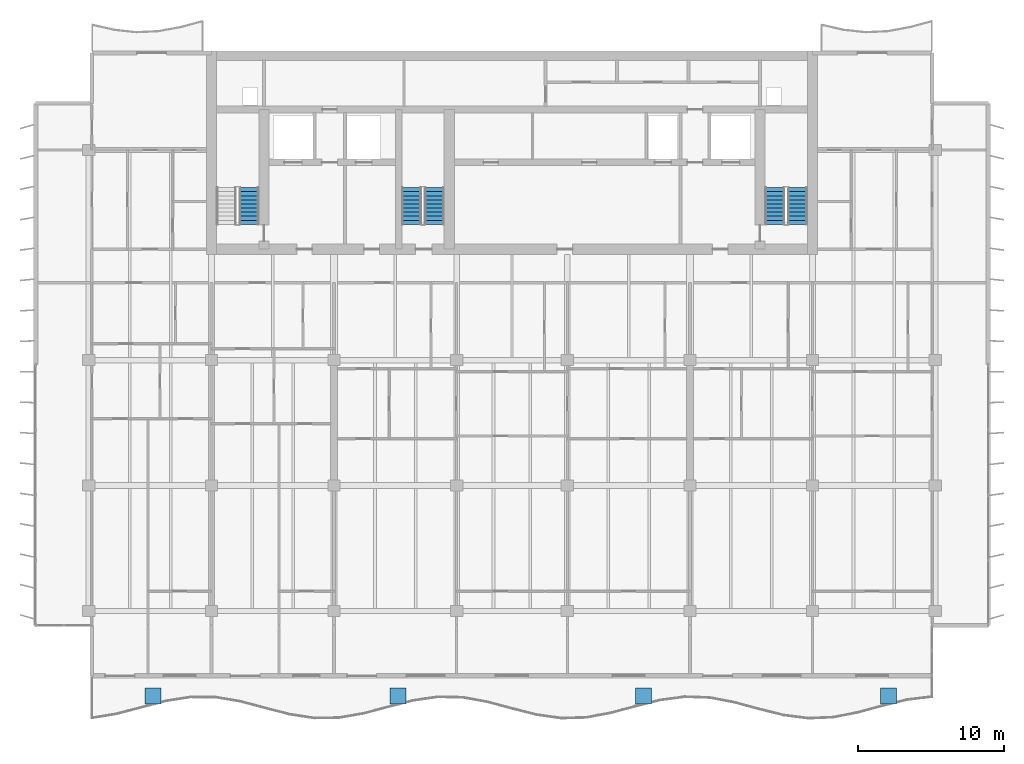
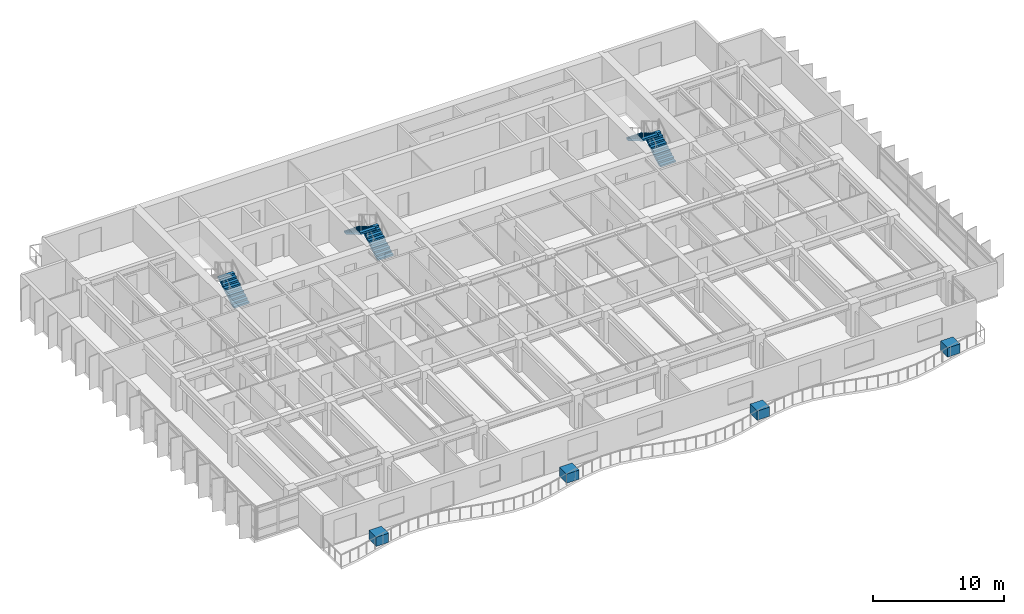
# One storey, part 13 of 17: 5 stair flights, 4 discrete accessories, 3 elements without a shape of their own.
"""IFC4 building model written with IfcOpenShell, lengths in metres."""

from ifc_helpers import new_model, si_unit, direction, frame, origin, origin_2d, place, context, subcontext, project, spatial, polyline, rectangle, outline, extrude, material, type_object, element, aggregate, save


model = new_model("IFC4")

# Units and contexts
model_context = context("Model", 3, precision=1e-05, world=origin(), true_north=direction((0.0, 1.0)))
body_context = subcontext(model_context, "Body", "Model", "MODEL_VIEW")
ifc_project = project(units=[si_unit("LENGTHUNIT", "METRE"), si_unit("AREAUNIT", "SQUARE_METRE"), si_unit("VOLUMEUNIT", "CUBIC_METRE"), si_unit("PLANEANGLEUNIT", "RADIAN"), si_unit("MASSUNIT", "GRAM", prefix="KILO")], contexts=[model_context])

# Site, building, storey
site_placement = place(None, origin())
site = spatial("IfcSite", under=ifc_project, at=site_placement, CompositionType="ELEMENT")
building_placement = place(site_placement, origin())
building = spatial("IfcBuilding", under=site, at=building_placement, Name="Caelmar Bay Residences", CompositionType="ELEMENT")
storey_placement = place(building_placement, frame((0.0, 0.0, 201.60009765625)))
storey = spatial("IfcBuildingStorey", under=building, at=storey_placement, Name="L56", CompositionType="ELEMENT", Elevation=201.60009765625)

# Stair, stair flight
ifc_material_1 = material(Name="Concrete f'c 40 MPa (6,000 psi)", Category="concrete")
stair_type = type_object("IfcStairType", Name="ST-TYP-165", PredefinedType="HALF_TURN_STAIR", material=ifc_material_1)
stair_1_placement = place(storey_placement, origin())
stair_1 = element("IfcStair", 1, at=stair_1_placement, inside=storey, type_object=stair_type, Name="L56 West Smokeproof Exit Stair ST1", PredefinedType="HALF_TURN_STAIR")
stair_flight_type = type_object("IfcStairFlightType", Name="STF-1350", PredefinedType="STRAIGHT", material=ifc_material_1)
stair_flight_1_placement = place(storey_placement, frame((20.875, 38.699951171875, 0.0), z_axis=(0.0, 0.0, 1.0), x_axis=(0.0, 1.0, 0.0)))
stair_flight_1 = element("IfcStairFlight", 2, at=stair_flight_1_placement, type_object=stair_flight_type, Name="ST1 flight 1", NumberOfRisers=10, NumberOfTreads=9, PredefinedType="STRAIGHT", RiserHeight=0.165, TreadLength=0.28, context=body_context, shape_type="SweptSolid", body=[
    extrude(outline(polyline([(0.0, 0.0), (0.0, 0.1650390625), (0.280029296875, 0.1650390625), (0.280029296875, 0.330078125), (0.56005859375, 0.330078125), (0.56005859375, 0.4951171875), (0.840087890625, 0.4951171875), (0.840087890625, 0.659912109375), (1.1201171875, 0.659912109375), (1.1201171875, 0.824951171875), (1.39990234375, 0.824951171875), (1.39990234375, 0.989990234375), (1.679931640625, 0.989990234375), (1.679931640625, 1.155029296875), (1.9599609375, 1.155029296875), (1.9599609375, 1.320068359375), (2.239990234375, 1.320068359375), (2.239990234375, 1.485107421875), (2.52001953125, 1.485107421875), (2.52001953125, 1.64990234375), (2.52001953125, 1.31103515625), (0.295166015625, 0.0), (0.0, 0.0)])), frame((0.0, 0.675048828125, 0.0), z_axis=(0.0, -1.0, 0.0), x_axis=(1.0, 0.0, 0.0)), (0.0, 0.0, 1.0), 1.35009765625),
])
aggregate(stair_1, [stair_flight_1])

# Stair, stair flights
stair_2_placement = place(storey_placement, origin())
stair_2 = element("IfcStair", 3, at=stair_2_placement, inside=storey, type_object=stair_type, Name="L56 East Smokeproof Exit Stair ST2", PredefinedType="HALF_TURN_STAIR")
stair_flight_2_placement = place(storey_placement, frame((58.47509765625, 38.699951171875, 0.0), z_axis=(0.0, 0.0, 1.0), x_axis=(0.0, 1.0, 0.0)))
stair_flight_2 = element("IfcStairFlight", 4, at=stair_flight_2_placement, type_object=stair_flight_type, Name="ST2 flight 1", NumberOfRisers=10, NumberOfTreads=9, PredefinedType="STRAIGHT", RiserHeight=0.165, TreadLength=0.28, context=body_context, shape_type="SweptSolid", body=[
    extrude(outline(polyline([(0.0, 0.0), (0.0, 0.1650390625), (0.280029296875, 0.1650390625), (0.280029296875, 0.330078125), (0.56005859375, 0.330078125), (0.56005859375, 0.4951171875), (0.840087890625, 0.4951171875), (0.840087890625, 0.659912109375), (1.1201171875, 0.659912109375), (1.1201171875, 0.824951171875), (1.39990234375, 0.824951171875), (1.39990234375, 0.989990234375), (1.679931640625, 0.989990234375), (1.679931640625, 1.155029296875), (1.9599609375, 1.155029296875), (1.9599609375, 1.320068359375), (2.239990234375, 1.320068359375), (2.239990234375, 1.485107421875), (2.52001953125, 1.485107421875), (2.52001953125, 1.64990234375), (2.52001953125, 1.31103515625), (0.295166015625, 0.0), (0.0, 0.0)])), frame((0.0, 0.675048828125, 0.0), z_axis=(0.0, -1.0, 0.0), x_axis=(1.0, 0.0, 0.0)), (0.0, 0.0, 1.0), 1.35009765625),
])
stair_flight_3_placement = place(storey_placement, frame((56.925048828125, 41.219970703125, 1.64990234375), z_axis=(0.0, 0.0, 1.0), x_axis=(0.0, -1.0, 0.0)))
stair_flight_3 = element("IfcStairFlight", 5, at=stair_flight_3_placement, type_object=stair_flight_type, Name="ST2 flight 2", NumberOfRisers=10, NumberOfTreads=9, PredefinedType="STRAIGHT", RiserHeight=0.165, TreadLength=0.28, context=body_context, shape_type="SweptSolid", body=[
    extrude(outline(polyline([(0.0, 0.0), (0.0, 0.1650390625), (0.280029296875, 0.1650390625), (0.280029296875, 0.330078125), (0.56005859375, 0.330078125), (0.56005859375, 0.4951171875), (0.840087890625, 0.4951171875), (0.840087890625, 0.659912109375), (1.1201171875, 0.659912109375), (1.1201171875, 0.824951171875), (1.39990234375, 0.824951171875), (1.39990234375, 0.989990234375), (1.679931640625, 0.989990234375), (1.679931640625, 1.155029296875), (1.9599609375, 1.155029296875), (1.9599609375, 1.320068359375), (2.239990234375, 1.320068359375), (2.239990234375, 1.485107421875), (2.52001953125, 1.485107421875), (2.52001953125, 1.64990234375), (2.52001953125, 1.31103515625), (0.295166015625, 0.0), (0.0, 0.0)])), frame((0.0, 0.675048828125, 0.0), z_axis=(0.0, -1.0, 0.0), x_axis=(1.0, 0.0, 0.0)), (0.0, 0.0, 1.0), 1.35009765625),
])
aggregate(stair_2, [stair_flight_2, stair_flight_3])

stair_3_placement = place(storey_placement, origin())
stair_3 = element("IfcStair", 6, at=stair_3_placement, inside=storey, type_object=stair_type, Name="L56 Central Smokeproof Exit Stair ST3", PredefinedType="HALF_TURN_STAIR")
stair_flight_4_placement = place(storey_placement, frame((33.574951171875, 38.699951171875, 0.0), z_axis=(0.0, 0.0, 1.0), x_axis=(0.0, 1.0, 0.0)))
stair_flight_4 = element("IfcStairFlight", 7, at=stair_flight_4_placement, type_object=stair_flight_type, Name="ST3 flight 1", NumberOfRisers=10, NumberOfTreads=9, PredefinedType="STRAIGHT", RiserHeight=0.165, TreadLength=0.28, context=body_context, shape_type="SweptSolid", body=[
    extrude(outline(polyline([(0.0, 0.0), (0.0, 0.1650390625), (0.280029296875, 0.1650390625), (0.280029296875, 0.330078125), (0.56005859375, 0.330078125), (0.56005859375, 0.4951171875), (0.840087890625, 0.4951171875), (0.840087890625, 0.659912109375), (1.1201171875, 0.659912109375), (1.1201171875, 0.824951171875), (1.39990234375, 0.824951171875), (1.39990234375, 0.989990234375), (1.679931640625, 0.989990234375), (1.679931640625, 1.155029296875), (1.9599609375, 1.155029296875), (1.9599609375, 1.320068359375), (2.239990234375, 1.320068359375), (2.239990234375, 1.485107421875), (2.52001953125, 1.485107421875), (2.52001953125, 1.64990234375), (2.52001953125, 1.31103515625), (0.295166015625, 0.0), (0.0, 0.0)])), frame((0.0, 0.675048828125, 0.0), z_axis=(0.0, -1.0, 0.0), x_axis=(1.0, 0.0, 0.0)), (0.0, 0.0, 1.0), 1.35009765625),
])
stair_flight_5_placement = place(storey_placement, frame((32.02490234375, 41.219970703125, 1.64990234375), z_axis=(0.0, 0.0, 1.0), x_axis=(0.0, -1.0, 0.0)))
stair_flight_5 = element("IfcStairFlight", 8, at=stair_flight_5_placement, type_object=stair_flight_type, Name="ST3 flight 2", NumberOfRisers=10, NumberOfTreads=9, PredefinedType="STRAIGHT", RiserHeight=0.165, TreadLength=0.28, context=body_context, shape_type="SweptSolid", body=[
    extrude(outline(polyline([(0.0, 0.0), (0.0, 0.1650390625), (0.280029296875, 0.1650390625), (0.280029296875, 0.330078125), (0.56005859375, 0.330078125), (0.56005859375, 0.4951171875), (0.840087890625, 0.4951171875), (0.840087890625, 0.659912109375), (1.1201171875, 0.659912109375), (1.1201171875, 0.824951171875), (1.39990234375, 0.824951171875), (1.39990234375, 0.989990234375), (1.679931640625, 0.989990234375), (1.679931640625, 1.155029296875), (1.9599609375, 1.155029296875), (1.9599609375, 1.320068359375), (2.239990234375, 1.320068359375), (2.239990234375, 1.485107421875), (2.52001953125, 1.485107421875), (2.52001953125, 1.64990234375), (2.52001953125, 1.31103515625), (0.295166015625, 0.0), (0.0, 0.0)])), frame((0.0, 0.675048828125, 0.0), z_axis=(0.0, -1.0, 0.0), x_axis=(1.0, 0.0, 0.0)), (0.0, 0.0, 1.0), 1.35009765625),
])
aggregate(stair_3, [stair_flight_4, stair_flight_5])

# Discrete accessories
ifc_material_2 = material(Name="Architectural bronze GRC planter trough with volcanic-lapilli substrate")
discrete_accessory_type = type_object("IfcDiscreteAccessoryType", Name="ACC-PLANTER-1100", PredefinedType="USERDEFINED", material=ifc_material_2)
for number, where, z_axis, x_axis, name in (
    (9, (14.300048828125, 6.3818359375, -0.000244140625), (0.0, 0.0, 1.0), (1.0, 0.0, 0.0), "L56 Balcony Structural Tree Planter 1"),
    (10, (31.10009765625, 6.3818359375, -0.000244140625), (0.0, 0.0, 1.0), (1.0, 0.0, 0.0), "L56 Balcony Structural Tree Planter 2"),
    (11, (47.89990234375, 6.3818359375, -0.000244140625), (0.0, 0.0, 1.0), (1.0, 0.0, 0.0), "L56 Balcony Structural Tree Planter 3"),
    (12, (64.699951171875, 6.3818359375, -0.000244140625), (0.0, 0.0, 1.0), (1.0, 0.0, 0.0), "L56 Balcony Structural Tree Planter 4"),
):
    element("IfcDiscreteAccessory", number, at=place(storey_placement, frame(where, z_axis=z_axis, x_axis=x_axis)), inside=storey, type_object=discrete_accessory_type, Name=name, ObjectType="PLANTER", PredefinedType="USERDEFINED", context=body_context, shape_type="SweptSolid", body=[
        extrude(rectangle(XDim=1.10009765625, YDim=1.10009765625, at=origin_2d()), origin(), (0.0, 0.0, 1.0), 0.85009765625),
    ])

save(model, "model.ifc")
